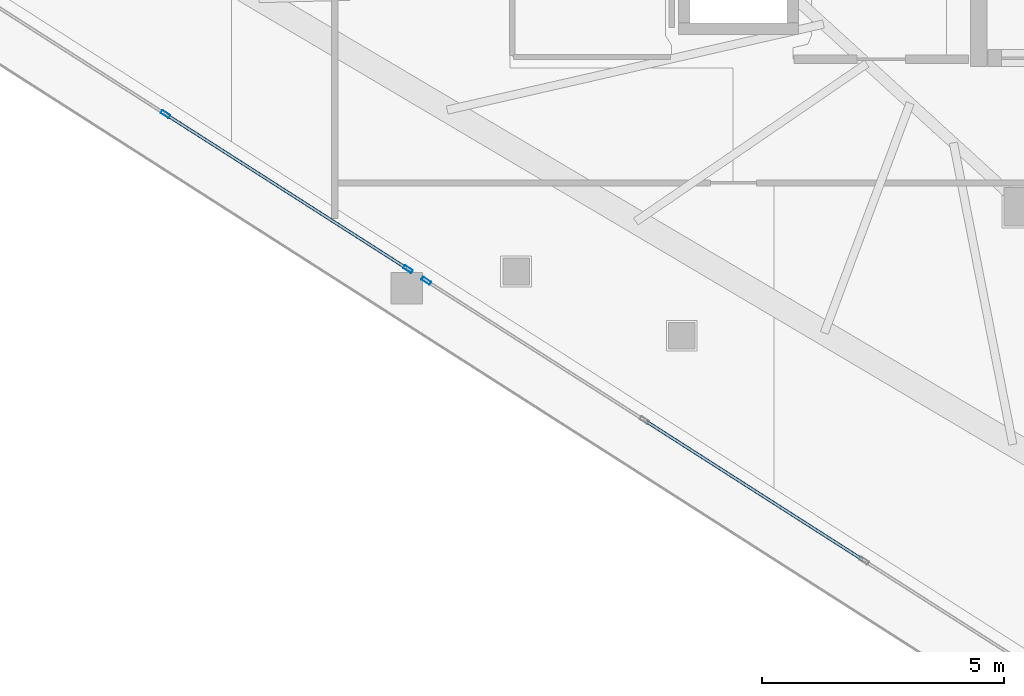
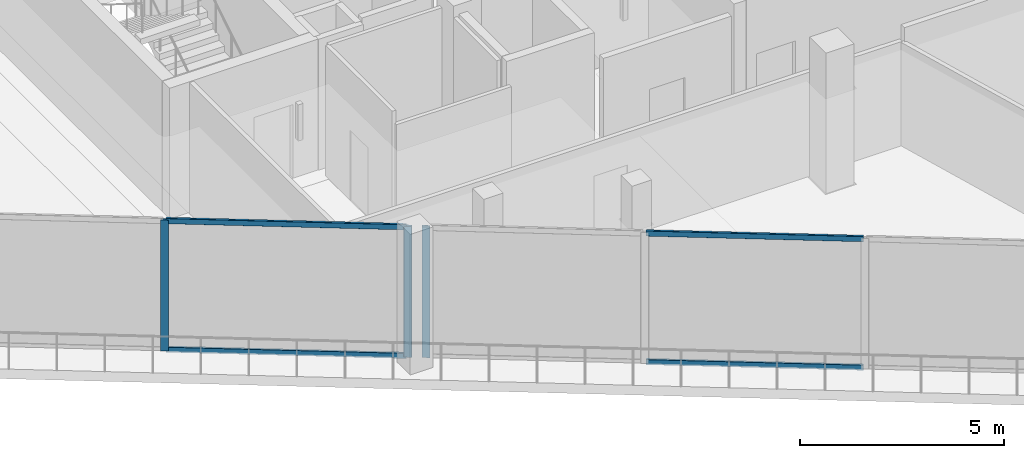
# One storey, part 2 of 31: 7 members, 2 elements without a shape of their own.
"""IFC4 building model written with IfcOpenShell, lengths in metres."""

import ifcopenshell
import ifcopenshell.guid

model = None  # the IFC model being written
_history = None  # IfcOwnerHistory: only IFC2X3 demands one
_inside = {}  # id of a spatial element -> (the spatial element, [elements in it])
_under = {}  # id of a project, library or spatial element -> (it, [spatial elements below it])
_declared = {}  # id of a project -> (the project, [libraries it declares])
_typed = {}  # id of a type object -> (the type object, [elements of that type])
_made_of = {}  # id of a material, layer set ... -> (it, [elements and type objects made of it])


def new_model(schema):
    """Start an empty IFC model of exactly this schema.

    Asked for "IFC4X3", IfcOpenShell would pick the latest addendum, in which some entities
    have other attributes; the version numbers below select the first issue.
    IFC2X3 requires an IfcOwnerHistory on every rooted entity: one is made here for all.
    """
    global model, _history
    if schema == "IFC4X3":
        model = ifcopenshell.file(schema_version=(4, 3, 0, 0))
    else:
        model = ifcopenshell.file(schema=schema)
    _inside.clear()
    _under.clear()
    _declared.clear()
    _typed.clear()
    _made_of.clear()
    _history = None
    if model.schema == "IFC2X3":
        org = make("IfcOrganization", Name="unknown")
        user = make(
            "IfcPersonAndOrganization",
            ThePerson=make("IfcPerson", FamilyName="unknown"),
            TheOrganization=org,
        )
        app = make(
            "IfcApplication",
            ApplicationDeveloper=org,
            Version="unknown",
            ApplicationFullName="unknown",
            ApplicationIdentifier="unknown",
        )
        _history = make(
            "IfcOwnerHistory",
            OwningUser=user,
            OwningApplication=app,
            ChangeAction="ADDED",
            CreationDate=0,
        )
    return model


def make(cls, **values):
    """One entity of the class cls with the attributes given. An attribute that is None is left unset."""
    return model.create_entity(
        cls, **{name: value for name, value in values.items() if value is not None}
    )


def rooted(cls, **values):
    """An entity with a GlobalId (a new one), such as an element, a storey or a relation."""
    return make(cls, GlobalId=ifcopenshell.guid.new(), OwnerHistory=_history, **values)


def si_unit(unit_type, name, prefix=None):
    """IfcSIUnit, for example si_unit("LENGTHUNIT", "METRE", prefix="MILLI")."""
    return make("IfcSIUnit", UnitType=unit_type, Prefix=prefix, Name=name)


def assignment(units):
    """IfcUnitAssignment: the units of a project."""
    return None if units is None else make("IfcUnitAssignment", Units=units)


def point(xyz):
    """IfcCartesianPoint."""
    return None if xyz is None else make("IfcCartesianPoint", Coordinates=xyz)


def direction(xyz):
    """IfcDirection."""
    return None if xyz is None else make("IfcDirection", DirectionRatios=xyz)


def frame(location, z_axis=None, x_axis=None):
    """IfcAxis2Placement3D, a coordinate frame: its origin and axes. An axis left out is left unset."""
    return make(
        "IfcAxis2Placement3D",
        Location=point(location),
        Axis=direction(z_axis),
        RefDirection=direction(x_axis),
    )


def frame_2d(location, x_axis=None):
    """IfcAxis2Placement2D, a coordinate frame in the plane: its origin and x axis."""
    return make(
        "IfcAxis2Placement2D", Location=point(location), RefDirection=direction(x_axis)
    )


def origin():
    """The frame at (0, 0, 0) with its axes left unset."""
    return frame((0.0, 0.0, 0.0))


def origin_2d():
    """The frame at (0, 0) in the plane with its x axis left unset."""
    return frame_2d((0.0, 0.0))


def place(relative_to, where):
    """IfcLocalPlacement: puts the frame where relative to a parent placement (None: the world)."""
    return make(
        "IfcLocalPlacement", PlacementRelTo=relative_to, RelativePlacement=where
    )


def context(
    kind, dimensions, precision=None, world=None, true_north=None, identifier=None
):
    """IfcGeometricRepresentationContext, for example the 3D "Model" context."""
    return make(
        "IfcGeometricRepresentationContext",
        ContextIdentifier=identifier,
        ContextType=kind,
        CoordinateSpaceDimension=dimensions,
        Precision=precision,
        WorldCoordinateSystem=world,
        TrueNorth=true_north,
    )


def subcontext(parent, identifier, kind, view, scale=None):
    """IfcGeometricRepresentationSubContext, for example "Body" below "Model"."""
    return make(
        "IfcGeometricRepresentationSubContext",
        ContextIdentifier=identifier,
        ContextType=kind,
        ParentContext=parent,
        TargetScale=scale,
        TargetView=view,
    )


def project(units=None, contexts=None):
    """IfcProject with its units and contexts."""
    return rooted(
        "IfcProject",
        Name="project",
        RepresentationContexts=contexts,
        UnitsInContext=assignment(units),
    )


def spatial(cls, under=None, at=None, **own):
    """A site, building, storey or space (cls), placed at a placement, below another one or the project."""
    s = rooted(cls, ObjectPlacement=at, **own)
    if under is not None:
        _under.setdefault(under.id(), (under, []))[1].append(s)
    return s


def profile(cls, at=None, kind="AREA", **sizes):
    """A parametric profile (cls). Its sizes go by their IFC names, for example OverallWidth=200.0."""
    return make(cls, ProfileType=kind, Position=at, **sizes)


def hollow_rectangle(**sizes):
    """IfcRectangleHollowProfileDef."""
    return profile("IfcRectangleHollowProfileDef", **sizes)


def extrude(swept, where, along, depth):
    """IfcExtrudedAreaSolid: the profile swept, set in the frame where, extruded along a direction by depth."""
    return make(
        "IfcExtrudedAreaSolid",
        SweptArea=swept,
        Position=where,
        ExtrudedDirection=direction(along),
        Depth=depth,
    )


def shape(context_of_items, identifier, shape_type, items):
    """IfcShapeRepresentation: the items that make up one representation, for example the "Body"."""
    return make(
        "IfcShapeRepresentation",
        ContextOfItems=context_of_items,
        RepresentationIdentifier=identifier,
        RepresentationType=shape_type,
        Items=items,
    )


def material(Name=None, Category=None):
    """IfcMaterial."""
    return make("IfcMaterial", Name=Name, Category=Category)


def layer(
    of_material, thickness, ventilated=None, Name=None, Category=None, Priority=None
):
    """IfcMaterialLayer: one layer of a wall or slab, of a material (None: an air gap)."""
    return make(
        "IfcMaterialLayer",
        Material=of_material,
        LayerThickness=thickness,
        IsVentilated=ventilated,
        Name=Name,
        Category=Category,
        Priority=Priority,
    )


def layer_set(layers, Name=None):
    """IfcMaterialLayerSet."""
    return make("IfcMaterialLayerSet", MaterialLayers=layers, LayerSetName=Name)


def material_profile(
    of_material, cross_section, Name=None, Category=None, Priority=None
):
    """IfcMaterialProfile: a cross section and its material."""
    return make(
        "IfcMaterialProfile",
        Name=Name,
        Material=of_material,
        Profile=cross_section,
        Priority=Priority,
        Category=Category,
    )


def profile_set(profiles, Name=None, composite=None):
    """IfcMaterialProfileSet."""
    return make(
        "IfcMaterialProfileSet",
        Name=Name,
        MaterialProfiles=profiles,
        CompositeProfile=composite,
    )


def made_of(thing, what):
    """Note that an element or type object is made of a material, layer set ...; save() writes the relation."""
    if what is not None:
        _made_of.setdefault(what.id(), (what, []))[1].append(thing)
    return thing


def type_object(cls, material=None, **own):
    """A type object (cls), such as IfcWallType, which elements share."""
    return made_of(rooted(cls, **own), material)


def element(
    cls,
    number,
    at=None,
    inside=None,
    cuts=None,
    type_object=None,
    material=None,
    context=None,
    identifier="Body",
    shape_type=None,
    held_by="IfcProductDefinitionShape",
    body=None,
    shapes=None,
    **own,
):
    """One element of the class cls, such as IfcWall. Its Tag is "e" and its number.

    at: its placement. inside: the storey or other place that contains it. cuts: it is an
    opening in that element (IfcRelVoidsElement). A single representation is given by context,
    identifier, shape_type and body (its items); several are given by shapes. held_by: the class
    of the entity that holds the representations. save() writes the other relations.
    """
    e = rooted(cls, Tag="e%d" % number, ObjectPlacement=at, **own)
    if body is not None:
        shapes = [shape(context, identifier, shape_type, body)]
    if shapes is not None:
        e.Representation = make(held_by, Representations=shapes)
    if inside is not None:
        _inside.setdefault(inside.id(), (inside, []))[1].append(e)
    if cuts is not None:
        rooted(
            "IfcRelVoidsElement", RelatingBuildingElement=cuts, RelatedOpeningElement=e
        )
    if type_object is not None:
        _typed.setdefault(type_object.id(), (type_object, []))[1].append(e)
    return made_of(e, material)


def aggregate(whole, parts):
    """IfcRelAggregates: a whole, such as a stair, and the parts it consists of."""
    return rooted("IfcRelAggregates", RelatingObject=whole, RelatedObjects=parts)


def save(model, path):
    """Write the relations noted so far, then the file.

    IfcRelAggregates (storeys below a building ...), IfcRelContainedInSpatialStructure (elements
    in a storey), IfcRelDefinesByType, IfcRelAssociatesMaterial and IfcRelDeclares: one each for
    every whole, place, type object, material and project.
    """
    for whole, parts in _under.values():
        aggregate(whole, parts)
    for where, things in _inside.values():
        rooted(
            "IfcRelContainedInSpatialStructure",
            RelatedElements=things,
            RelatingStructure=where,
        )
    for kind, things in _typed.values():
        rooted("IfcRelDefinesByType", RelatedObjects=things, RelatingType=kind)
    for what, things in _made_of.values():
        rooted("IfcRelAssociatesMaterial", RelatedObjects=things, RelatingMaterial=what)
    for by, libraries in _declared.values():
        rooted("IfcRelDeclares", RelatingContext=by, RelatedDefinitions=libraries)
    model.write(path)


model = new_model("IFC4")

# Units and contexts
model_context = context("Model", 3, precision=1e-05, world=origin(), true_north=direction((0.0, 1.0)))
body_context = subcontext(model_context, "Body", "Model", "MODEL_VIEW")
ifc_project = project(units=[si_unit("LENGTHUNIT", "METRE"), si_unit("AREAUNIT", "SQUARE_METRE"), si_unit("VOLUMEUNIT", "CUBIC_METRE"), si_unit("PLANEANGLEUNIT", "RADIAN"), si_unit("MASSUNIT", "GRAM", prefix="KILO")], contexts=[model_context])

# Site, building, storey
site_placement = place(None, origin())
site = spatial("IfcSite", under=ifc_project, at=site_placement, CompositionType="ELEMENT")
building_placement = place(site_placement, origin())
building = spatial("IfcBuilding", under=site, at=building_placement, Name="Qorvath Tower", CompositionType="ELEMENT")
storey_placement = place(building_placement, frame((0.0, 0.0, 264.0)))
storey = spatial("IfcBuildingStorey", under=building, at=storey_placement, Name="L61", CompositionType="ELEMENT", Elevation=264.0)

# Curtain wall, members
ifc_material_1 = material(Name="Anodised aluminium and triple low-E glass", Category="aluminium")
ifc_layer = layer(ifc_material_1, 0.179931640625)
ifc_layer_set = layer_set([ifc_layer], Name="CW-SYS-4")
curtain_wall_type = type_object("IfcCurtainWallType", Name="CW-SYS-4", PredefinedType="NOTDEFINED", material=ifc_layer_set)
curtain_wall_1_placement = place(storey_placement, origin())
curtain_wall_1 = element("IfcCurtainWall", 1, at=curtain_wall_1_placement, inside=storey, type_object=curtain_wall_type, Name="Curtain Wall CW-4 CW-T-L61-2.1", PredefinedType="NOTDEFINED")
ifc_material_2 = material(Name="Anodised aluminium 6063-T6", Category="aluminium")
ifc_material_profile_1 = material_profile(ifc_material_2, hollow_rectangle(XDim=0.074951171875, YDim=0.199951171875, WallThickness=0.00390625, InnerFilletRadius=0.00390625, OuterFilletRadius=0.008056640625, at=origin_2d()), Name="CWM 200x75")
ifc_profile_set_1 = profile_set([ifc_material_profile_1], Name="Anodised aluminium 6063-T6")
member_type_1 = type_object("IfcMemberType", Name="CWM-200", PredefinedType="MULLION", material=ifc_profile_set_1)
member_1_placement = place(storey_placement, frame((-41.3623046875, -9.534912109375, 0.0), z_axis=(0.0, 0.0, 1.0), x_axis=(0.538528809945, 0.84260709756, 0.0)))
member_1 = element("IfcMember", 2, at=member_1_placement, type_object=member_type_1, Name="CW-4 mullion 3", PredefinedType="MULLION", context=body_context, shape_type="SweptSolid", body=[
    extrude(hollow_rectangle(XDim=0.074951171875, YDim=0.199951171875, WallThickness=0.00390625, InnerFilletRadius=0.00390625, OuterFilletRadius=0.008056640625, at=origin_2d()), origin(), (0.0, 0.0, 1.0), 3.909912109375),
])
member_2_placement = place(storey_placement, frame((-36.339599609375, -12.7451171875, 0.0), z_axis=(0.0, 0.0, 1.0), x_axis=(0.538528809945, 0.84260709756, 0.0)))
member_2 = element("IfcMember", 3, at=member_2_placement, type_object=member_type_1, Name="CW-4 mullion 4", PredefinedType="MULLION", context=body_context, shape_type="SweptSolid", body=[
    extrude(hollow_rectangle(XDim=0.074951171875, YDim=0.199951171875, WallThickness=0.00390625, InnerFilletRadius=0.00390625, OuterFilletRadius=0.008056640625, at=origin_2d()), origin(), (0.0, 0.0, 1.0), 3.909912109375),
])

# Curtain wall, member
curtain_wall_2_placement = place(storey_placement, origin())
curtain_wall_2 = element("IfcCurtainWall", 4, at=curtain_wall_2_placement, inside=storey, type_object=curtain_wall_type, Name="Curtain Wall CW-4 CW-T-L61-2.2", PredefinedType="NOTDEFINED")
member_3_placement = place(storey_placement, frame((-35.962890625, -12.98583984375, 0.0), z_axis=(0.0, 0.0, 1.0), x_axis=(0.538536275061, 0.842602326393, 0.0)))
member_3 = element("IfcMember", 5, at=member_3_placement, type_object=member_type_1, Name="CW-4 mullion 1", PredefinedType="MULLION", context=body_context, shape_type="SweptSolid", body=[
    extrude(hollow_rectangle(XDim=0.074951171875, YDim=0.199951171875, WallThickness=0.00390625, InnerFilletRadius=0.00390625, OuterFilletRadius=0.008056640625, at=origin_2d()), origin(), (0.0, 0.0, 1.0), 3.909912109375),
])

# Member
ifc_material_3 = material(Name="Anodised aluminium 6063-T6", Category="aluminium")
ifc_material_profile_2 = material_profile(ifc_material_3, hollow_rectangle(XDim=0.06494140625, YDim=0.159912109375, WallThickness=0.00341796875, InnerFilletRadius=0.00341796875, OuterFilletRadius=0.007080078125, at=origin_2d()), Name="CWT 160x65")
ifc_profile_set_2 = profile_set([ifc_material_profile_2], Name="Anodised aluminium 6063-T6")
member_type_2 = type_object("IfcMemberType", Name="CWT-160", PredefinedType="USERDEFINED", material=ifc_profile_set_2)
member_4_placement = place(storey_placement, frame((-41.330810546875, -9.55517578125, 0.032470703125), z_axis=(0.842602679805, -0.538535722106, 0.0), x_axis=(0.538535722106, 0.842602679805, 0.0)))
member_4 = element("IfcMember", 6, at=member_4_placement, type_object=member_type_2, Name="CW-4 transom 3.1", ObjectType="TRANSOM", PredefinedType="USERDEFINED", context=body_context, shape_type="SweptSolid", body=[
    extrude(hollow_rectangle(XDim=0.06494140625, YDim=0.159912109375, WallThickness=0.00341796875, InnerFilletRadius=0.00341796875, OuterFilletRadius=0.007080078125, at=origin_2d()), origin(), (0.0, 0.0, 1.0), 5.88623046875),
])

member_5_placement = place(storey_placement, frame((-41.330810546875, -9.55517578125, 3.87744140625), z_axis=(0.842602679805, -0.538535722106, 0.0), x_axis=(0.538535722106, 0.842602679805, 0.0)))
member_5 = element("IfcMember", 7, at=member_5_placement, type_object=member_type_2, Name="CW-4 transom 3.2", ObjectType="TRANSOM", PredefinedType="USERDEFINED", context=body_context, shape_type="SweptSolid", body=[
    extrude(hollow_rectangle(XDim=0.06494140625, YDim=0.159912109375, WallThickness=0.00341796875, InnerFilletRadius=0.00341796875, OuterFilletRadius=0.007080078125, at=origin_2d()), origin(), (0.0, 0.0, 1.0), 5.88623046875),
])

aggregate(curtain_wall_1, [member_1, member_2, member_4, member_5])

member_6_placement = place(storey_placement, frame((-31.4150390625, -15.892578125, 0.032470703125), z_axis=(0.842600287474, -0.538539465173, 0.0), x_axis=(0.538539465173, 0.842600287474, 0.0)))
member_6 = element("IfcMember", 8, at=member_6_placement, type_object=member_type_2, Name="CW-4 transom 2.1", ObjectType="TRANSOM", PredefinedType="USERDEFINED", context=body_context, shape_type="SweptSolid", body=[
    extrude(hollow_rectangle(XDim=0.06494140625, YDim=0.159912109375, WallThickness=0.00341796875, InnerFilletRadius=0.00341796875, OuterFilletRadius=0.007080078125, at=origin_2d()), origin(), (0.0, 0.0, 1.0), 5.32275390625),
])

member_7_placement = place(storey_placement, frame((-31.4150390625, -15.892578125, 3.87744140625), z_axis=(0.842600287474, -0.538539465173, 0.0), x_axis=(0.538539465173, 0.842600287474, 0.0)))
member_7 = element("IfcMember", 9, at=member_7_placement, type_object=member_type_2, Name="CW-4 transom 2.2", ObjectType="TRANSOM", PredefinedType="USERDEFINED", context=body_context, shape_type="SweptSolid", body=[
    extrude(hollow_rectangle(XDim=0.06494140625, YDim=0.159912109375, WallThickness=0.00341796875, InnerFilletRadius=0.00341796875, OuterFilletRadius=0.007080078125, at=origin_2d()), origin(), (0.0, 0.0, 1.0), 5.32275390625),
])

aggregate(curtain_wall_2, [member_3, member_6, member_7])

save(model, "model.ifc")
